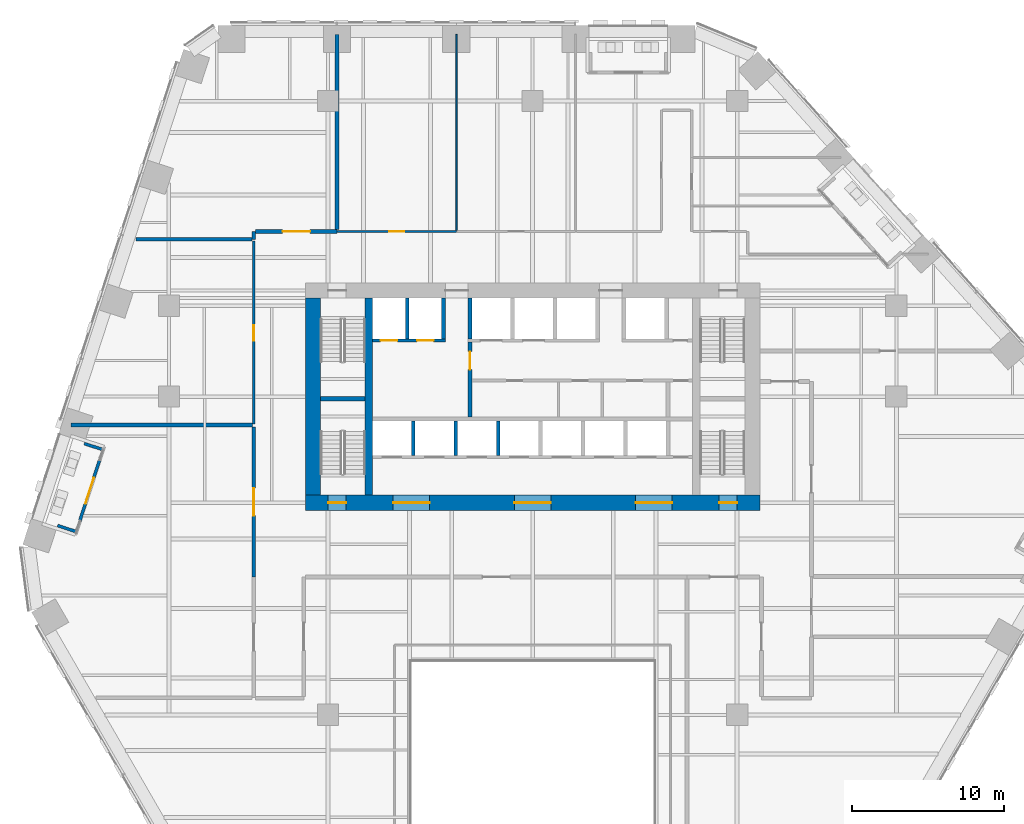
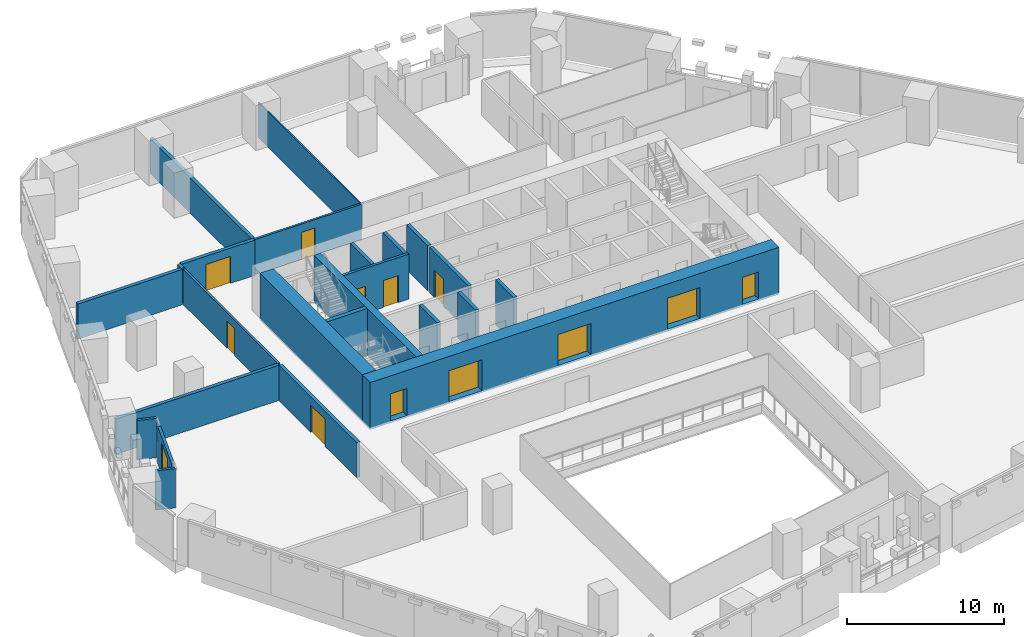
# One storey, part 23 of 31: 24 walls, 13 doors, 13 openings.
"""IFC4 building model written with IfcOpenShell, lengths in metres."""

from ifc_helpers import new_model, si_unit, direction, frame, frame_2d, origin, place, context, subcontext, project, spatial, rectangle, extrude, material, layer, layer_set, type_object, element, fill, save


model = new_model("IFC4")

# Units and contexts
model_context = context("Model", 3, precision=1e-05, world=origin(), true_north=direction((0.0, 1.0)))
body_context = subcontext(model_context, "Body", "Model", "MODEL_VIEW")
ifc_project = project(units=[si_unit("LENGTHUNIT", "METRE"), si_unit("AREAUNIT", "SQUARE_METRE"), si_unit("VOLUMEUNIT", "CUBIC_METRE"), si_unit("PLANEANGLEUNIT", "RADIAN"), si_unit("MASSUNIT", "GRAM", prefix="KILO")], contexts=[model_context])

# Site, building, storey
site_placement = place(None, origin())
site = spatial("IfcSite", under=ifc_project, at=site_placement, CompositionType="ELEMENT")
building_placement = place(site_placement, origin())
building = spatial("IfcBuilding", under=site, at=building_placement, Name="Isthmus Gate Tower", CompositionType="ELEMENT")
storey_placement = place(building_placement, frame((0.0, 0.0, 39.64990234375)))
storey = spatial("IfcBuildingStorey", under=building, at=storey_placement, Name="L07", CompositionType="ELEMENT", Elevation=39.64990234375)

# Wall
ifc_material_1 = material(Name="Double-leaf acoustic stud wall, fire-rated", Category="gypsum")
ifc_layer_1 = layer(ifc_material_1, 0.25)
ifc_layer_set_1 = layer_set([ifc_layer_1], Name="ACOUSTIC WALL 250 60 MIN")
wall_type_1 = type_object("IfcWallType", Name="ACOUSTIC WALL 250 60 MIN", PredefinedType="PARTITIONING", material=ifc_layer_set_1)
wall_1_placement = place(storey_placement, frame((-18.39990234375, 17.881103515625, 0.0), z_axis=(0.0, 0.0, 1.0), x_axis=(0.0, 1.0, 0.0)))
element("IfcWall", 1, at=wall_1_placement, inside=storey, type_object=wall_type_1, Name="L07 Acoustic Wall 250 60 Min", PredefinedType="PARTITIONING", context=body_context, shape_type="SweptSolid", body=[
    extrude(rectangle(XDim=0.518798828125, YDim=0.25, at=frame_2d((0.25927734375, 0.0))), origin(), (0.0, 0.0, 1.0), 2.7412109375),
])

# Wall, opening, door
wall_2_placement = place(storey_placement, frame((-18.27490234375, 18.39990234375, 0.0), z_axis=(0.0, 0.0, 1.0), x_axis=(1.0, 0.0, 0.0)))
wall_2 = element("IfcWall", 2, at=wall_2_placement, inside=storey, type_object=wall_type_1, Name="L07 Acoustic Wall 250 60 Min", PredefinedType="PARTITIONING", context=body_context, shape_type="SweptSolid", body=[
    extrude(rectangle(XDim=5.369873046875, YDim=0.25, at=frame_2d((2.68505859375, 0.0))), origin(), (0.0, 0.0, 1.0), 2.7412109375),
])
opening_1_placement = place(wall_2_placement, frame((1.784912109375, 0.0, 0.0)))
opening_1 = element("IfcOpeningElement", 3, at=opening_1_placement, cuts=wall_2, Name="Opening DT-T1A-01", PredefinedType="OPENING", context=body_context, shape_type="SweptSolid", body=[
    extrude(rectangle(XDim=1.800048828125, YDim=2.10009765625, at=frame_2d((0.89990234375, 1.050048828125))), frame((0.0, 0.135009765625, 0.0), z_axis=(0.0, -1.0, 0.0), x_axis=(1.0, 0.0, 0.0)), (0.0, 0.0, 1.0), 0.27001953125),
])
ifc_material_2 = material(Name="Solid core timber door leaf, fire-rated", Category="wood")
door_type_1 = type_object("IfcDoorType", Name="FIRE DOOR ACOUSTIC ROOM 1800 X 2100 60 MIN", OperationType="DOUBLE_DOOR_DOUBLE_SWING", PredefinedType="DOOR", material=ifc_material_2)
door_1_placement = place(opening_1_placement, origin())
door_1 = element("IfcDoor", 4, at=door_1_placement, inside=storey, type_object=door_type_1, Name="L07 room door", OperationType="DOUBLE_DOOR_DOUBLE_SWING", OverallHeight=2.10009765625, OverallWidth=1.800048828125, PredefinedType="DOOR", context=body_context, shape_type="SweptSolid", body=[
    extrude(rectangle(XDim=1.800048828125, YDim=2.10009765625, at=frame_2d((0.89990234375, 1.050048828125))), frame((0.0, 0.02490234375, 0.0), z_axis=(0.0, -1.0, 0.0), x_axis=(1.0, 0.0, 0.0)), (0.0, 0.0, 1.0), 0.050048828125),
])
fill(opening_1, door_1)

# Walls
wall_3_placement = place(storey_placement, frame((-26.169921875, 17.8828125, 0.0), z_axis=(0.0, 0.0, 1.0), x_axis=(0.999999975014, -0.00022354218, 0.0)))
element("IfcWall", 5, at=wall_3_placement, inside=storey, type_object=wall_type_1, Name="L07 Acoustic Wall 250 60 Min", PredefinedType="PARTITIONING", context=body_context, shape_type="SweptSolid", body=[
    extrude(rectangle(XDim=7.64501953125, YDim=0.25, at=frame_2d((3.822509765625, 0.0))), origin(), (0.0, 0.0, 1.0), 2.7412109375),
])
wall_4_placement = place(storey_placement, frame((-12.906982421875, 31.39990234375, 0.0), z_axis=(0.0, 0.0, 1.0), x_axis=(0.000151699027, -0.999999988494, 0.0)))
element("IfcWall", 6, at=wall_4_placement, inside=storey, type_object=wall_type_1, Name="L07 Acoustic Wall 250 60 Min", PredefinedType="PARTITIONING", context=body_context, shape_type="SweptSolid", body=[
    extrude(rectangle(XDim=12.875, YDim=0.25, at=frame_2d((6.4375, 0.0))), origin(), (0.0, 0.0, 1.0), 2.7412109375),
])
wall_5_placement = place(storey_placement, frame((-30.450927734375, 5.6298828125, 0.0), z_axis=(0.0, 0.0, 1.0), x_axis=(1.0, 0.0, 0.0)))
element("IfcWall", 7, at=wall_5_placement, inside=storey, type_object=wall_type_1, Name="L07 Acoustic Wall 250 60 Min", PredefinedType="PARTITIONING", context=body_context, shape_type="SweptSolid", body=[
    extrude(rectangle(XDim=11.975830078125, YDim=0.25, at=frame_2d((5.98779296875, 0.0))), origin(), (0.0, 0.0, 1.0), 2.7412109375),
])

# Wall, opening, door
wall_6_placement = place(storey_placement, frame((-18.39990234375, -4.39794921875, 0.0), z_axis=(0.0, 0.0, 1.0), x_axis=(0.0, 1.0, 0.0)))
wall_6 = element("IfcWall", 8, at=wall_6_placement, inside=storey, type_object=wall_type_1, Name="L07 Acoustic Wall 250 60 Min", PredefinedType="PARTITIONING", context=body_context, shape_type="SweptSolid", body=[
    extrude(rectangle(XDim=9.90283203125, YDim=0.25, at=frame_2d((4.951416015625, 0.0))), origin(), (0.0, 0.0, 1.0), 2.7412109375),
])
opening_2_placement = place(wall_6_placement, frame((4.051513671875, 0.0, 0.0)))
opening_2 = element("IfcOpeningElement", 9, at=opening_2_placement, cuts=wall_6, Name="Opening DT-T1A-11", PredefinedType="OPENING", context=body_context, shape_type="SweptSolid", body=[
    extrude(rectangle(XDim=1.800048828125, YDim=2.10009765625, at=frame_2d((0.89990234375, 1.050048828125))), frame((0.0, 0.135009765625, 0.0), z_axis=(0.0, -1.0, 0.0), x_axis=(1.0, 0.0, 0.0)), (0.0, 0.0, 1.0), 0.27001953125),
])
door_2_placement = place(opening_2_placement, origin())
door_2 = element("IfcDoor", 10, at=door_2_placement, inside=storey, type_object=door_type_1, Name="L07 room door", OperationType="DOUBLE_DOOR_DOUBLE_SWING", OverallHeight=2.10009765625, OverallWidth=1.800048828125, PredefinedType="DOOR", context=body_context, shape_type="SweptSolid", body=[
    extrude(rectangle(XDim=1.800048828125, YDim=2.10009765625, at=frame_2d((0.89990234375, 1.050048828125))), frame((0.0, 0.02490234375, 0.0), z_axis=(0.0, -1.0, 0.0), x_axis=(1.0, 0.0, 0.0)), (0.0, 0.0, 1.0), 0.050048828125),
])
fill(opening_2, door_2)

ifc_material_3 = material(Name="Gypsum board on steel studs, fire-rated", Category="steel")
ifc_layer_2 = layer(ifc_material_3, 0.14990234375)
ifc_layer_set_2 = layer_set([ifc_layer_2], Name="CORRIDOR WALL 150 60 MIN")
wall_type_2 = type_object("IfcWallType", Name="CORRIDOR WALL 150 60 MIN", PredefinedType="PARTITIONING", material=ifc_layer_set_2)
wall_7_placement = place(storey_placement, frame((-12.905029296875, 18.39990234375, 0.0), z_axis=(0.0, 0.0, 1.0), x_axis=(1.0, 0.0, 0.0)))
wall_7 = element("IfcWall", 11, at=wall_7_placement, inside=storey, type_object=wall_type_2, Name="L07 Corridor Wall 150 60 Min", PredefinedType="PARTITIONING", context=body_context, shape_type="SweptSolid", body=[
    extrude(rectangle(XDim=7.867919921875, YDim=0.14990234375, at=frame_2d((3.93408203125, 0.0))), origin(), (0.0, 0.0, 1.0), 2.7412109375),
])
opening_3_placement = place(wall_7_placement, frame((3.43408203125, 0.0, 0.0)))
opening_3 = element("IfcOpeningElement", 12, at=opening_3_placement, cuts=wall_7, Name="Opening DT-T1A-02", PredefinedType="OPENING", context=body_context, shape_type="SweptSolid", body=[
    extrude(rectangle(XDim=1.0, YDim=2.10009765625, at=frame_2d((0.5, 1.050048828125))), frame((0.0, 0.0849609375, 0.0), z_axis=(0.0, -1.0, 0.0), x_axis=(1.0, 0.0, 0.0)), (0.0, 0.0, 1.0), 0.169921875),
])
ifc_material_4 = material(Name="Solid core timber door leaf, fire-rated", Category="wood")
door_type_2 = type_object("IfcDoorType", Name="FIRE DOOR ROOM 1000 X 2100 60 MIN", OperationType="SINGLE_SWING_LEFT", PredefinedType="DOOR", material=ifc_material_4)
door_3_placement = place(opening_3_placement, origin())
door_3 = element("IfcDoor", 13, at=door_3_placement, inside=storey, type_object=door_type_2, Name="L07 room door", OperationType="SINGLE_SWING_RIGHT", OverallHeight=2.10009765625, OverallWidth=1.0, PredefinedType="DOOR", context=body_context, shape_type="SweptSolid", body=[
    extrude(rectangle(XDim=1.0, YDim=2.10009765625, at=frame_2d((0.5, 1.050048828125))), frame((0.0, 0.02490234375, 0.0), z_axis=(0.0, -1.0, 0.0), x_axis=(1.0, 0.0, 0.0)), (0.0, 0.0, 1.0), 0.050048828125),
])
fill(opening_3, door_3)

wall_8_placement = place(storey_placement, frame((-18.39990234375, 5.679931640625, 0.0), z_axis=(0.0, 0.0, 1.0), x_axis=(0.0, 1.0, 0.0)))
wall_8 = element("IfcWall", 14, at=wall_8_placement, inside=storey, type_object=wall_type_2, Name="L07 Corridor Wall 150 60 Min", PredefinedType="PARTITIONING", context=body_context, shape_type="SweptSolid", body=[
    extrude(rectangle(XDim=12.076171875, YDim=0.14990234375, at=frame_2d((6.0380859375, 0.0))), origin(), (0.0, 0.0, 1.0), 2.7412109375),
])
opening_4_placement = place(wall_8_placement, frame((5.512939453125, 0.0, 0.0)))
opening_4 = element("IfcOpeningElement", 15, at=opening_4_placement, cuts=wall_8, Name="Opening DT-T1A-07", PredefinedType="OPENING", context=body_context, shape_type="SweptSolid", body=[
    extrude(rectangle(XDim=1.0, YDim=2.10009765625, at=frame_2d((0.5, 1.050048828125))), frame((0.0, 0.0849609375, 0.0), z_axis=(0.0, -1.0, 0.0), x_axis=(1.0, 0.0, 0.0)), (0.0, 0.0, 1.0), 0.169921875),
])
door_4_placement = place(opening_4_placement, origin())
door_4 = element("IfcDoor", 16, at=door_4_placement, inside=storey, type_object=door_type_2, Name="L07 room door", OperationType="SINGLE_SWING_RIGHT", OverallHeight=2.10009765625, OverallWidth=1.0, PredefinedType="DOOR", context=body_context, shape_type="SweptSolid", body=[
    extrude(rectangle(XDim=1.0, YDim=2.10009765625, at=frame_2d((0.5, 1.050048828125))), frame((0.0, 0.02490234375, 0.0), z_axis=(0.0, -1.0, 0.0), x_axis=(1.0, 0.0, 0.0)), (0.0, 0.0, 1.0), 0.050048828125),
])
fill(opening_4, door_4)

ifc_material_5 = material(Name="Fire-rated blockwork masonry, 15 MPa", Category="masonry")
ifc_layer_3 = layer(ifc_material_5, 0.25)
ifc_layer_set_3 = layer_set([ifc_layer_3], Name="FIRE-FIGHTING LOBBY WALL 250 90 MIN")
wall_type_3 = type_object("IfcWallType", Name="FIRE-FIGHTING LOBBY WALL 250 90 MIN", PredefinedType="PARTITIONING", material=ifc_layer_set_3)
wall_9_placement = place(storey_placement, frame((-4.125, 6.14990234375, 0.0), z_axis=(0.0, 0.0, 1.0), x_axis=(0.0, 1.0, 0.0)))
wall_9 = element("IfcWall", 17, at=wall_9_placement, inside=storey, type_object=wall_type_3, Name="L07 FIRE-FIGHTING LOBBY WALL 250 90 MIN", PredefinedType="PARTITIONING", context=body_context, shape_type="SweptSolid", body=[
    extrude(rectangle(XDim=4.9501953125, YDim=0.25, at=frame_2d((2.47509765625, 0.0))), origin(), (0.0, 0.0, 1.0), 3.5),
])
opening_5_placement = place(wall_9_placement, frame((3.125, 0.0, 0.0)))
opening_5 = element("IfcOpeningElement", 18, at=opening_5_placement, cuts=wall_9, Name="Opening DC-A04-01", PredefinedType="OPENING", context=body_context, shape_type="SweptSolid", body=[
    extrude(rectangle(XDim=1.199951171875, YDim=2.10009765625, at=frame_2d((0.60009765625, 1.050048828125))), frame((0.0, 0.135009765625, 0.0), z_axis=(0.0, -1.0, 0.0), x_axis=(1.0, 0.0, 0.0)), (0.0, 0.0, 1.0), 0.27001953125),
])
ifc_material_6 = material(Name="Steel door leaf, fire-rated", Category="steel")
door_type_3 = type_object("IfcDoorType", Name="LOBBY FIRE DOOR 1200 X 2100 90 MIN", OperationType="DOUBLE_DOOR_SINGLE_SWING", PredefinedType="DOOR", material=ifc_material_6)
door_5_placement = place(opening_5_placement, origin())
door_5 = element("IfcDoor", 19, at=door_5_placement, inside=storey, type_object=door_type_3, Name="Fire-fighting Lobby Door", OperationType="SINGLE_SWING_LEFT", OverallHeight=2.10009765625, OverallWidth=1.199951171875, PredefinedType="DOOR", context=body_context, shape_type="SweptSolid", body=[
    extrude(rectangle(XDim=1.199951171875, YDim=2.10009765625, at=frame_2d((0.60009765625, 1.050048828125))), frame((0.0, 0.02490234375, 0.0), z_axis=(0.0, -1.0, 0.0), x_axis=(1.0, 0.0, 0.0)), (0.0, 0.0, 1.0), 0.050048828125),
])
fill(opening_5, door_5)

ifc_material_7 = material(Name="Precast concrete C40/50", Category="concrete")
ifc_layer_4 = layer(ifc_material_7, 0.199951171875)
ifc_layer_set_4 = layer_set([ifc_layer_4], Name="LOGGIA WALL 200")
wall_type_4 = type_object("IfcWallType", Name="LOGGIA WALL 200", PredefinedType="SOLIDWALL", material=ifc_layer_set_4)
wall_10_placement = place(storey_placement, frame((-28.582763671875, 3.290771484375, 0.0), z_axis=(0.0, 0.0, 1.0), x_axis=(-0.30901640812, -0.951056706781, 0.0)))
wall_10 = element("IfcWall", 20, at=wall_10_placement, inside=storey, type_object=wall_type_4, Name="LOGGIA BACK WALL", PredefinedType="SOLIDWALL", context=body_context, shape_type="SweptSolid", body=[
    extrude(rectangle(XDim=4.199951171875, YDim=0.199951171875, at=frame_2d((2.10009765625, 0.0))), origin(), (0.0, 0.0, 1.0), 2.89990234375),
])
opening_6_placement = place(wall_10_placement, frame((1.199951171875, 0.0, 0.0)))
opening_6 = element("IfcOpeningElement", 21, at=opening_6_placement, cuts=wall_10, Name="Opening DE07-02", PredefinedType="OPENING", context=body_context, shape_type="SweptSolid", body=[
    extrude(rectangle(XDim=1.800048828125, YDim=2.39990234375, at=frame_2d((0.89990234375, 1.199951171875))), frame((0.0, 0.10986328125, 0.0), z_axis=(0.0, -1.0, 0.0), x_axis=(1.0, 0.0, 0.0)), (0.0, 0.0, 1.0), 0.219970703125),
])
ifc_material_8 = material(Name="Aluminium, pale champagne anodised, laminated glass", Category="aluminium")
door_type_4 = type_object("IfcDoorType", Name="LOGGIA DOOR SLIDING 1800 X 2400", OperationType="DOUBLE_DOOR_SLIDING", PredefinedType="DOOR", material=ifc_material_8)
door_6_placement = place(opening_6_placement, origin())
door_6 = element("IfcDoor", 22, at=door_6_placement, inside=storey, type_object=door_type_4, Name="DOOR DE07-02", OperationType="SINGLE_SWING_LEFT", OverallHeight=2.39990234375, OverallWidth=1.800048828125, PredefinedType="DOOR", context=body_context, shape_type="SweptSolid", body=[
    extrude(rectangle(XDim=1.800048828125, YDim=2.39990234375, at=frame_2d((0.89990234375, 1.199951171875))), frame((0.0, 0.02490234375, 0.0), z_axis=(0.0, -1.0, 0.0), x_axis=(1.0, 0.0, 0.0)), (0.0, 0.0, 1.0), 0.050048828125),
])
fill(opening_6, door_6)

# Walls
wall_11_placement = place(storey_placement, frame((-29.5888671875, 4.40087890625, 0.0), z_axis=(0.0, 0.0, 1.0), x_axis=(0.951052235057, -0.30903017036, 0.0)))
element("IfcWall", 23, at=wall_11_placement, inside=storey, type_object=wall_type_4, Name="LOGGIA SIDE WALL", PredefinedType="SOLIDWALL", context=body_context, shape_type="SweptSolid", body=[
    extrude(rectangle(XDim=1.28369140625, YDim=0.199951171875, at=frame_2d((0.641845703125, 0.0))), origin(), (0.0, 0.0, 1.0), 3.050048828125),
])
wall_12_placement = place(storey_placement, frame((-31.34716796875, -1.010009765625, 0.0), z_axis=(0.0, 0.0, 1.0), x_axis=(0.951070391529, -0.308974287532, 0.0)))
element("IfcWall", 24, at=wall_12_placement, inside=storey, type_object=wall_type_4, Name="LOGGIA SIDE WALL", PredefinedType="SOLIDWALL", context=body_context, shape_type="SweptSolid", body=[
    extrude(rectangle(XDim=1.283935546875, YDim=0.199951171875, at=frame_2d((0.64208984375, 0.0))), origin(), (0.0, 0.0, 1.0), 3.050048828125),
])
ifc_material_9 = material(Name="Concrete f'c 70 MPa", Category="concrete")
ifc_layer_5 = layer(ifc_material_9, 0.5)
ifc_layer_set_5 = layer_set([ifc_layer_5], Name="RC CORE SPINE WALL 500 F'C 70")
wall_type_5 = type_object("IfcWallType", Name="RC CORE SPINE WALL 500 F'C 70", PredefinedType="SOLIDWALL", material=ifc_layer_set_5)
wall_13_placement = place(storey_placement, frame((-10.800048828125, 1.0, -0.14990234375), z_axis=(0.0, 0.0, 1.0), x_axis=(0.0, 1.0, 0.0)))
element("IfcWall", 25, at=wall_13_placement, inside=storey, type_object=wall_type_5, Name="str-corewall-L07-SPW", PredefinedType="SOLIDWALL", context=body_context, shape_type="SweptSolid", body=[
    extrude(rectangle(XDim=13.0, YDim=0.5, at=frame_2d((6.5, 0.0))), origin(), (0.0, 0.0, 1.0), 3.64990234375),
])

# Wall, openings, doors
ifc_material_10 = material(Name="Concrete f'c 70 MPa", Category="concrete")
ifc_layer_6 = layer(ifc_material_10, 1.0)
ifc_layer_set_6 = layer_set([ifc_layer_6], Name="RC CORE WALL 1000 F'C 70")
wall_type_6 = type_object("IfcWallType", Name="RC CORE WALL 1000 F'C 70", PredefinedType="SOLIDWALL", material=ifc_layer_set_6)
wall_14_placement = place(storey_placement, frame((-15.0, 0.5, -0.14990234375), z_axis=(0.0, 0.0, 1.0), x_axis=(1.0, 0.0, 0.0)))
wall_14 = element("IfcWall", 26, at=wall_14_placement, inside=storey, type_object=wall_type_6, Name="str-corewall-L07-S", PredefinedType="SOLIDWALL", context=body_context, shape_type="SweptSolid", body=[
    extrude(rectangle(XDim=30.0, YDim=1.0, at=frame_2d((15.0, 0.0))), origin(), (0.0, 0.0, 1.0), 3.64990234375),
])
opening_7_placement = place(wall_14_placement, frame((5.800048828125, 0.0, 0.14990234375)))
opening_7 = element("IfcOpeningElement", 27, at=opening_7_placement, cuts=wall_14, Name="Opening DC-A04-08", PredefinedType="OPENING", context=body_context, shape_type="SweptSolid", body=[
    extrude(rectangle(XDim=2.39990234375, YDim=2.39990234375, at=frame_2d((1.199951171875, 1.199951171875))), frame((0.0, 0.510009765625, 0.0), z_axis=(0.0, -1.0, 0.0), x_axis=(1.0, 0.0, 0.0)), (0.0, 0.0, 1.0), 1.02001953125),
])
opening_8_placement = place(wall_14_placement, frame((13.800048828125, 0.0, 0.14990234375)))
opening_8 = element("IfcOpeningElement", 28, at=opening_8_placement, cuts=wall_14, Name="Opening DC-A04-09", PredefinedType="OPENING", context=body_context, shape_type="SweptSolid", body=[
    extrude(rectangle(XDim=2.39990234375, YDim=2.39990234375, at=frame_2d((1.199951171875, 1.199951171875))), frame((0.0, 0.510009765625, 0.0), z_axis=(0.0, -1.0, 0.0), x_axis=(1.0, 0.0, 0.0)), (0.0, 0.0, 1.0), 1.02001953125),
])
opening_9_placement = place(wall_14_placement, frame((21.800048828125, 0.0, 0.14990234375)))
opening_9 = element("IfcOpeningElement", 29, at=opening_9_placement, cuts=wall_14, Name="Opening DC-A04-10", PredefinedType="OPENING", context=body_context, shape_type="SweptSolid", body=[
    extrude(rectangle(XDim=2.39990234375, YDim=2.39990234375, at=frame_2d((1.199951171875, 1.199951171875))), frame((0.0, 0.510009765625, 0.0), z_axis=(0.0, -1.0, 0.0), x_axis=(1.0, 0.0, 0.0)), (0.0, 0.0, 1.0), 1.02001953125),
])
opening_10_placement = place(wall_14_placement, frame((1.5, 0.0, 0.14990234375)))
opening_10 = element("IfcOpeningElement", 30, at=opening_10_placement, cuts=wall_14, Name="Opening DC-A04-15", PredefinedType="OPENING", context=body_context, shape_type="SweptSolid", body=[
    extrude(rectangle(XDim=1.199951171875, YDim=2.10009765625, at=frame_2d((0.60009765625, 1.050048828125))), frame((0.0, 0.510009765625, 0.0), z_axis=(0.0, -1.0, 0.0), x_axis=(1.0, 0.0, 0.0)), (0.0, 0.0, 1.0), 1.02001953125),
])
opening_11_placement = place(wall_14_placement, frame((27.300048828125, 0.0, 0.14990234375)))
opening_11 = element("IfcOpeningElement", 31, at=opening_11_placement, cuts=wall_14, Name="Opening DC-A04-16", PredefinedType="OPENING", context=body_context, shape_type="SweptSolid", body=[
    extrude(rectangle(XDim=1.199951171875, YDim=2.10009765625, at=frame_2d((0.60009765625, 1.050048828125))), frame((0.0, 0.510009765625, 0.0), z_axis=(0.0, -1.0, 0.0), x_axis=(1.0, 0.0, 0.0)), (0.0, 0.0, 1.0), 1.02001953125),
])
ifc_material_11 = material(Name="Laminated safety glass in steel frame, fire-rated", Category="steel")
door_type_5 = type_object("IfcDoorType", Name="LOBBY ENTRANCE FIRE DOOR 2400 X 2400 60 MIN", OperationType="DOUBLE_DOOR_DOUBLE_SWING", PredefinedType="DOOR", material=ifc_material_11)
door_7_placement = place(opening_7_placement, origin())
door_7 = element("IfcDoor", 32, at=door_7_placement, inside=storey, type_object=door_type_5, Name="Lobby Entrance PS-W", OperationType="DOUBLE_DOOR_DOUBLE_SWING", OverallHeight=2.39990234375, OverallWidth=2.39990234375, PredefinedType="DOOR", context=body_context, shape_type="SweptSolid", body=[
    extrude(rectangle(XDim=2.39990234375, YDim=2.39990234375, at=frame_2d((1.199951171875, 1.199951171875))), frame((0.0, 0.02490234375, 0.0), z_axis=(0.0, -1.0, 0.0), x_axis=(1.0, 0.0, 0.0)), (0.0, 0.0, 1.0), 0.050048828125),
])
fill(opening_7, door_7)
door_8_placement = place(opening_8_placement, origin())
door_8 = element("IfcDoor", 33, at=door_8_placement, inside=storey, type_object=door_type_5, Name="Lobby Entrance PS-C", OperationType="DOUBLE_DOOR_DOUBLE_SWING", OverallHeight=2.39990234375, OverallWidth=2.39990234375, PredefinedType="DOOR", context=body_context, shape_type="SweptSolid", body=[
    extrude(rectangle(XDim=2.39990234375, YDim=2.39990234375, at=frame_2d((1.199951171875, 1.199951171875))), frame((0.0, 0.02490234375, 0.0), z_axis=(0.0, -1.0, 0.0), x_axis=(1.0, 0.0, 0.0)), (0.0, 0.0, 1.0), 0.050048828125),
])
fill(opening_8, door_8)
door_9_placement = place(opening_9_placement, origin())
door_9 = element("IfcDoor", 34, at=door_9_placement, inside=storey, type_object=door_type_5, Name="Lobby Entrance PS-E", OperationType="DOUBLE_DOOR_DOUBLE_SWING", OverallHeight=2.39990234375, OverallWidth=2.39990234375, PredefinedType="DOOR", context=body_context, shape_type="SweptSolid", body=[
    extrude(rectangle(XDim=2.39990234375, YDim=2.39990234375, at=frame_2d((1.199951171875, 1.199951171875))), frame((0.0, 0.02490234375, 0.0), z_axis=(0.0, -1.0, 0.0), x_axis=(1.0, 0.0, 0.0)), (0.0, 0.0, 1.0), 0.050048828125),
])
fill(opening_9, door_9)
ifc_material_12 = material(Name="Steel door leaf, fire-rated", Category="steel")
door_type_6 = type_object("IfcDoorType", Name="STAIR FIRE DOOR 1200 X 2100 90 MIN", OperationType="SINGLE_SWING_LEFT", PredefinedType="DOOR", material=ifc_material_12)
door_10_placement = place(opening_10_placement, origin())
door_10 = element("IfcDoor", 35, at=door_10_placement, inside=storey, type_object=door_type_6, Name="Exit Stair 7 Door", OperationType="SINGLE_SWING_LEFT", OverallHeight=2.10009765625, OverallWidth=1.199951171875, PredefinedType="DOOR", context=body_context, shape_type="SweptSolid", body=[
    extrude(rectangle(XDim=1.199951171875, YDim=2.10009765625, at=frame_2d((0.60009765625, 1.050048828125))), frame((0.0, 0.02490234375, 0.0), z_axis=(0.0, -1.0, 0.0), x_axis=(1.0, 0.0, 0.0)), (0.0, 0.0, 1.0), 0.050048828125),
])
fill(opening_10, door_10)
door_11_placement = place(opening_11_placement, origin())
door_11 = element("IfcDoor", 36, at=door_11_placement, inside=storey, type_object=door_type_6, Name="Exit Stair 8 Door", OperationType="SINGLE_SWING_RIGHT", OverallHeight=2.10009765625, OverallWidth=1.199951171875, PredefinedType="DOOR", context=body_context, shape_type="SweptSolid", body=[
    extrude(rectangle(XDim=1.199951171875, YDim=2.10009765625, at=frame_2d((0.60009765625, 1.050048828125))), frame((0.0, 0.02490234375, 0.0), z_axis=(0.0, -1.0, 0.0), x_axis=(1.0, 0.0, 0.0)), (0.0, 0.0, 1.0), 0.050048828125),
])
fill(opening_11, door_11)

# Walls
wall_15_placement = place(storey_placement, frame((-14.5, 1.0, -0.14990234375), z_axis=(0.0, 0.0, 1.0), x_axis=(0.0, 1.0, 0.0)))
element("IfcWall", 37, at=wall_15_placement, inside=storey, type_object=wall_type_6, Name="str-corewall-L07-W", PredefinedType="SOLIDWALL", context=body_context, shape_type="SweptSolid", body=[
    extrude(rectangle(XDim=13.0, YDim=1.0, at=frame_2d((6.5, 0.0))), origin(), (0.0, 0.0, 1.0), 3.64990234375),
])
ifc_material_13 = material(Name="Gypsum board on steel studs, fire-rated", Category="steel")
ifc_layer_7 = layer(ifc_material_13, 0.10009765625)
ifc_layer_set_7 = layer_set([ifc_layer_7], Name="ROOM PARTITION 100 30 MIN")
wall_type_7 = type_object("IfcWallType", Name="ROOM PARTITION 100 30 MIN", PredefinedType="PARTITIONING", material=ifc_layer_set_7)
wall_16_placement = place(storey_placement, frame((-5.037109375, 18.47509765625, 0.0), z_axis=(0.0, 0.0, 1.0), x_axis=(0.0, 1.0, 0.0)))
element("IfcWall", 38, at=wall_16_placement, inside=storey, type_object=wall_type_7, Name="L07 Room Partition 100 30 Min", PredefinedType="PARTITIONING", context=body_context, shape_type="SweptSolid", body=[
    extrude(rectangle(XDim=12.9248046875, YDim=0.10009765625, at=frame_2d((6.46240234375, 0.0))), origin(), (0.0, 0.0, 1.0), 2.7412109375),
])

# Wall, openings, doors
ifc_material_14 = material(Name="Fire-rated blockwork masonry, 15 MPa", Category="masonry")
ifc_layer_8 = layer(ifc_material_14, 0.199951171875)
ifc_layer_set_8 = layer_set([ifc_layer_8], Name="SHAFT FRONT WALL 200 120 MIN")
wall_type_8 = type_object("IfcWallType", Name="SHAFT FRONT WALL 200 120 MIN", PredefinedType="PARTITIONING", material=ifc_layer_set_8)
wall_17_placement = place(storey_placement, frame((-10.550048828125, 11.199951171875, 0.0), z_axis=(0.0, 0.0, 1.0), x_axis=(1.0, 0.0, 0.0)))
wall_17 = element("IfcWall", 39, at=wall_17_placement, inside=storey, type_object=wall_type_8, Name="L07 SHAFT FRONT WALL 200 120 MIN", PredefinedType="PARTITIONING", context=body_context, shape_type="SweptSolid", body=[
    extrude(rectangle(XDim=4.800048828125, YDim=0.199951171875, at=frame_2d((2.39990234375, 0.0))), origin(), (0.0, 0.0, 1.0), 3.5),
])
opening_12_placement = place(wall_17_placement, frame((0.52490234375, 0.0, 0.0)))
opening_12 = element("IfcOpeningElement", 40, at=opening_12_placement, cuts=wall_17, Name="Opening LD-LF1", PredefinedType="OPENING", context=body_context, shape_type="SweptSolid", body=[
    extrude(rectangle(XDim=1.10009765625, YDim=2.10009765625, at=frame_2d((0.550048828125, 1.050048828125))), frame((0.0, 0.10986328125, 0.0), z_axis=(0.0, -1.0, 0.0), x_axis=(1.0, 0.0, 0.0)), (0.0, 0.0, 1.0), 0.219970703125),
])
opening_13_placement = place(wall_17_placement, frame((2.925048828125, 0.0, 0.0)))
opening_13 = element("IfcOpeningElement", 41, at=opening_13_placement, cuts=wall_17, Name="Opening LD-LF2", PredefinedType="OPENING", context=body_context, shape_type="SweptSolid", body=[
    extrude(rectangle(XDim=1.10009765625, YDim=2.10009765625, at=frame_2d((0.550048828125, 1.050048828125))), frame((0.0, 0.10986328125, 0.0), z_axis=(0.0, -1.0, 0.0), x_axis=(1.0, 0.0, 0.0)), (0.0, 0.0, 1.0), 0.219970703125),
])
ifc_material_15 = material(Name="Stainless steel sliding leaf", Category="steel")
door_type_7 = type_object("IfcDoorType", Name="LIFT LANDING FIRE DOOR 1100 X 2100 90 MIN", OperationType="DOUBLE_DOOR_SLIDING", PredefinedType="DOOR", material=ifc_material_15)
door_12_placement = place(opening_12_placement, origin())
door_12 = element("IfcDoor", 42, at=door_12_placement, inside=storey, type_object=door_type_7, Name="Lift Landing Door LF1", OperationType="DOUBLE_DOOR_SLIDING", OverallHeight=2.10009765625, OverallWidth=1.10009765625, PredefinedType="DOOR", context=body_context, shape_type="SweptSolid", body=[
    extrude(rectangle(XDim=1.10009765625, YDim=2.10009765625, at=frame_2d((0.550048828125, 1.050048828125))), frame((0.0, 0.02490234375, 0.0), z_axis=(0.0, -1.0, 0.0), x_axis=(1.0, 0.0, 0.0)), (0.0, 0.0, 1.0), 0.050048828125),
])
fill(opening_12, door_12)
door_13_placement = place(opening_13_placement, origin())
door_13 = element("IfcDoor", 43, at=door_13_placement, inside=storey, type_object=door_type_7, Name="Lift Landing Door LF2", OperationType="DOUBLE_DOOR_SLIDING", OverallHeight=2.10009765625, OverallWidth=1.10009765625, PredefinedType="DOOR", context=body_context, shape_type="SweptSolid", body=[
    extrude(rectangle(XDim=1.10009765625, YDim=2.10009765625, at=frame_2d((0.550048828125, 1.050048828125))), frame((0.0, 0.02490234375, 0.0), z_axis=(0.0, -1.0, 0.0), x_axis=(1.0, 0.0, 0.0)), (0.0, 0.0, 1.0), 0.050048828125),
])
fill(opening_13, door_13)

# Walls
ifc_material_16 = material(Name="Fire-rated blockwork masonry, 15 MPa", Category="masonry")
ifc_layer_9 = layer(ifc_material_16, 0.25)
ifc_layer_set_9 = layer_set([ifc_layer_9], Name="SHAFT WALL 250 120 MIN")
wall_type_9 = type_object("IfcWallType", Name="SHAFT WALL 250 120 MIN", PredefinedType="PARTITIONING", material=ifc_layer_set_9)
for number, where, z_axis, x_axis, name in (
    (44, (-7.875, 3.60009765625, 0.0), (0.0, 0.0, 1.0), (0.0, 1.0, 0.0), "L07 SHAFT WALL 250 120 MIN"),
    (45, (-5.074951171875, 3.60009765625, 0.0), (0.0, 0.0, 1.0), (0.0, 1.0, 0.0), "L07 SHAFT WALL 250 120 MIN"),
    (46, (-2.27490234375, 3.60009765625, 0.0), (0.0, 0.0, 1.0), (0.0, 1.0, 0.0), "L07 SHAFT WALL 250 120 MIN"),
):
    element("IfcWall", number, at=place(storey_placement, frame(where, z_axis=z_axis, x_axis=x_axis)), inside=storey, type_object=wall_type_9, Name=name, PredefinedType="PARTITIONING", context=body_context, shape_type="SweptSolid", body=[
        extrude(rectangle(XDim=2.2998046875, YDim=0.25, at=frame_2d((1.14990234375, 0.0))), origin(), (0.0, 0.0, 1.0), 3.5),
    ])
for number, where, z_axis, x_axis, name in (
    (47, (-8.27490234375, 11.300048828125, 0.0), (0.0, 0.0, 1.0), (0.0, 1.0, 0.0), "L07 SHAFT WALL 250 120 MIN"),
    (48, (-5.875, 11.300048828125, 0.0), (0.0, 0.0, 1.0), (0.0, 1.0, 0.0), "L07 SHAFT WALL 250 120 MIN"),
    (49, (-4.125, 11.300048828125, 0.0), (0.0, 0.0, 1.0), (0.0, 1.0, 0.0), "L07 SHAFT WALL 250 120 MIN"),
):
    element("IfcWall", number, at=place(storey_placement, frame(where, z_axis=z_axis, x_axis=x_axis)), inside=storey, type_object=wall_type_9, Name=name, PredefinedType="PARTITIONING", context=body_context, shape_type="SweptSolid", body=[
        extrude(rectangle(XDim=2.699951171875, YDim=0.25, at=frame_2d((1.35009765625, 0.0))), origin(), (0.0, 0.0, 1.0), 3.5),
    ])
ifc_material_17 = material(Name="Concrete f'c 40 MPa", Category="concrete")
ifc_layer_10 = layer(ifc_material_17, 0.300048828125)
ifc_layer_set_10 = layer_set([ifc_layer_10], Name="STAIR ENCLOSURE WALL 300 180 MIN")
wall_type_10 = type_object("IfcWallType", Name="STAIR ENCLOSURE WALL 300 180 MIN", PredefinedType="SOLIDWALL", material=ifc_layer_set_10)
wall_18_placement = place(storey_placement, frame((-14.0, 7.35009765625, -0.14990234375), z_axis=(0.0, 0.0, 1.0), x_axis=(1.0, 0.0, 0.0)))
element("IfcWall", 50, at=wall_18_placement, inside=storey, type_object=wall_type_10, Name="L07 STAIR ENCLOSURE WALL 300 180 MIN", PredefinedType="SOLIDWALL", context=body_context, shape_type="SweptSolid", body=[
    extrude(rectangle(XDim=2.949951171875, YDim=0.300048828125, at=frame_2d((1.47509765625, 0.0))), origin(), (0.0, 0.0, 1.0), 3.64990234375),
])

save(model, "model.ifc")
